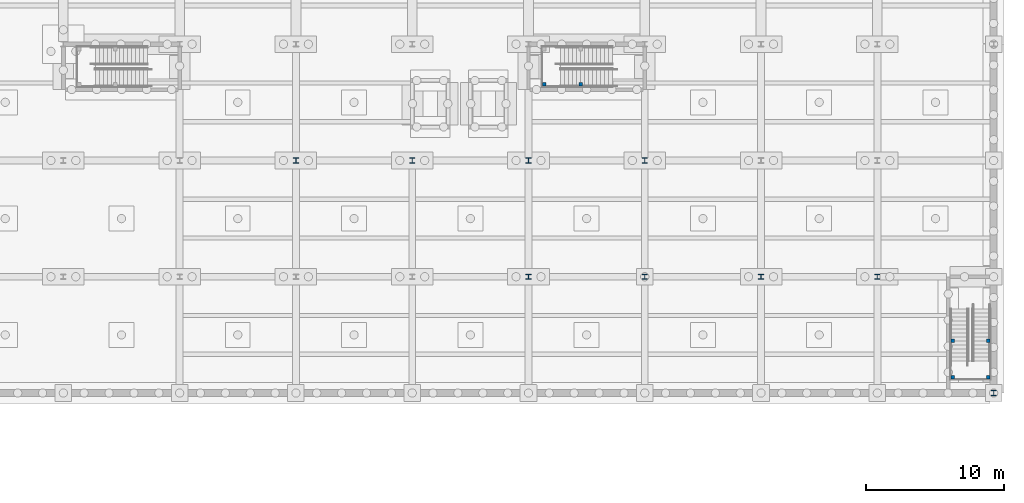
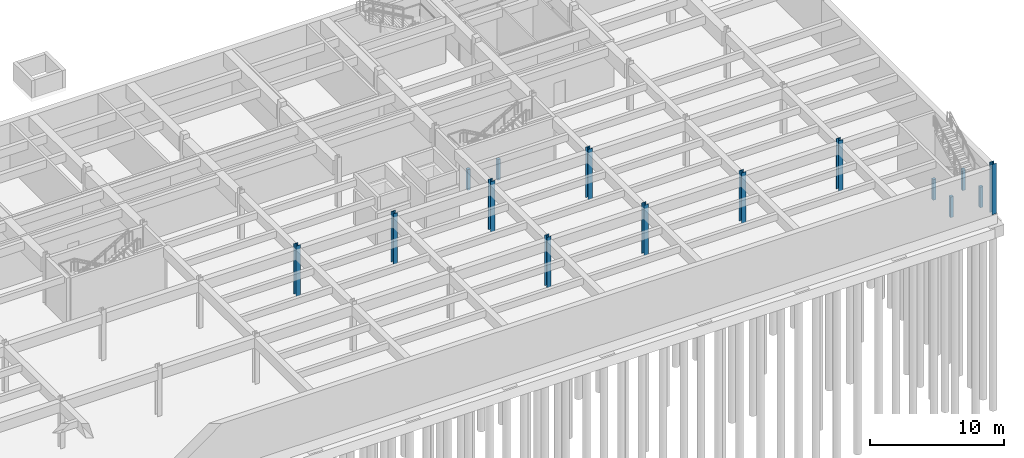
# One storey, part 15 of 33: 15 columns.
"""IFC4 building model written with IfcOpenShell, lengths in metres."""

from ifc_helpers import new_model, si_unit, direction, frame, origin, origin_2d, place, context, subcontext, project, spatial, rectangle, i_section, extrude, material, material_profile, profile_set, type_object, element, save


model = new_model("IFC4")

# Units and contexts
model_context = context("Model", 3, precision=1e-05, world=origin(), true_north=direction((0.0, 1.0)))
body_context = subcontext(model_context, "Body", "Model", "MODEL_VIEW")
ifc_project = project(units=[si_unit("LENGTHUNIT", "METRE"), si_unit("AREAUNIT", "SQUARE_METRE"), si_unit("VOLUMEUNIT", "CUBIC_METRE"), si_unit("PLANEANGLEUNIT", "RADIAN"), si_unit("MASSUNIT", "GRAM", prefix="KILO")], contexts=[model_context])

# Site, building, storey
site_placement = place(None, origin())
site = spatial("IfcSite", under=ifc_project, at=site_placement, CompositionType="ELEMENT")
building_placement = place(site_placement, origin())
building = spatial("IfcBuilding", under=site, at=building_placement, Name="Ljudholm Concert House", CompositionType="ELEMENT")
storey_placement = place(building_placement, frame((0.0, 0.0, -4.60009765625)))
storey = spatial("IfcBuildingStorey", under=building, at=storey_placement, Name="B1", CompositionType="ELEMENT", Elevation=-4.60009765625)

# Columns
ifc_material_1 = material(Name="Concrete 6,500 psi", Category="concrete")
ifc_material_profile_1 = material_profile(ifc_material_1, rectangle(XDim=0.25, YDim=0.25, at=origin_2d()), Name="RC COLUMN 250x250")
ifc_profile_set_1 = profile_set([ifc_material_profile_1], Name="Concrete 6,500 psi")
column_type_1 = type_object("IfcColumnType", Name="RC COLUMN 250x250", PredefinedType="COLUMN", material=ifc_profile_set_1)
for number, where, z_axis, x_axis, name in (
    (1, (89.155029296875, 127.10009765625, 0.0), (0.0, 0.0, 1.0), (1.0, 0.0, 0.0), "Landing support column"),
    (2, (91.762939453125, 127.10009765625, 0.0), (0.0, 0.0, 1.0), (1.0, 0.0, 0.0), "Landing support column"),
    (3, (118.64990234375, 105.955078125, 0.0), (0.0, 0.0, 1.0), (1.0, 0.0, 0.0), "Landing support column"),
    (4, (121.199951171875, 105.955078125, 0.0), (0.0, 0.0, 1.0), (1.0, 0.0, 0.0), "Landing support column"),
    (5, (118.64990234375, 108.56298828125, 0.0), (0.0, 0.0, 1.0), (1.0, 0.0, 0.0), "Landing support column"),
    (6, (121.199951171875, 108.56298828125, 0.0), (0.0, 0.0, 1.0), (1.0, 0.0, 0.0), "Landing support column"),
):
    element("IfcColumn", number, at=place(storey_placement, frame(where, z_axis=z_axis, x_axis=x_axis)), inside=storey, type_object=column_type_1, Name=name, PredefinedType="COLUMN", context=body_context, shape_type="SweptSolid", body=[
        extrude(rectangle(XDim=0.25, YDim=0.25, at=origin_2d()), origin(), (0.0, 0.0, 1.0), 1.89013671875),
    ])
ifc_material_2 = material(Name="Steel ASTM A992", Category="steel")
ifc_material_profile_2 = material_profile(ifc_material_2, i_section(OverallWidth=0.373291015625, OverallDepth=0.373291015625, WebThickness=0.016357421875, FlangeThickness=0.026123046875, FilletRadius=0.01513671875, at=origin_2d()), Name="W14X132")
ifc_profile_set_2 = profile_set([ifc_material_profile_2], Name="Steel ASTM A992")
column_type_2 = type_object("IfcColumnType", Name="STEEL COLUMN W14X132", PredefinedType="COLUMN", material=ifc_profile_set_2)
for number, where, z_axis, x_axis, name in (
    (7, (71.199951171875, 121.60009765625, 0.0), (0.0, 0.0, 1.0), (1.0, 0.0, 0.0), "Basement column"),
    (8, (79.60009765625, 121.60009765625, 0.0), (0.0, 0.0, 1.0), (1.0, 0.0, 0.0), "Basement column"),
    (9, (88.0, 113.199951171875, 0.0), (0.0, 0.0, 1.0), (1.0, 0.0, 0.0), "Basement column"),
    (10, (88.0, 121.60009765625, 0.0), (0.0, 0.0, 1.0), (1.0, 0.0, 0.0), "Basement column"),
    (11, (96.39990234375, 113.199951171875, 0.0), (0.0, 0.0, 1.0), (1.0, 0.0, 0.0), "Basement column"),
    (12, (96.39990234375, 121.60009765625, 0.0), (0.0, 0.0, 1.0), (1.0, 0.0, 0.0), "Basement column"),
    (13, (104.800048828125, 113.199951171875, 0.0), (0.0, 0.0, 1.0), (1.0, 0.0, 0.0), "Basement column"),
    (14, (113.199951171875, 113.199951171875, 0.0), (0.0, 0.0, 1.0), (1.0, 0.0, 0.0), "Basement column"),
    (15, (121.60009765625, 104.800048828125, 0.0), (0.0, 0.0, 1.0), (1.0, 0.0, 0.0), "Basement column"),
):
    element("IfcColumn", number, at=place(storey_placement, frame(where, z_axis=z_axis, x_axis=x_axis)), inside=storey, type_object=column_type_2, Name=name, PredefinedType="COLUMN", context=body_context, shape_type="SweptSolid", body=[
        extrude(i_section(OverallWidth=0.373291015625, OverallDepth=0.373291015625, WebThickness=0.016357421875, FlangeThickness=0.026123046875, FilletRadius=0.01513671875, at=origin_2d()), origin(), (0.0, 0.0, 1.0), 4.60009765625),
    ])

save(model, "model.ifc")
